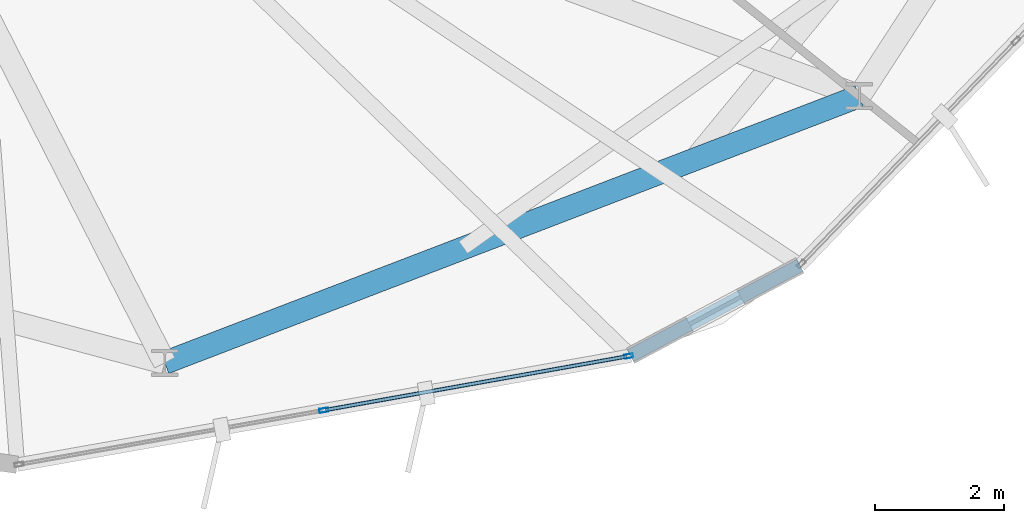
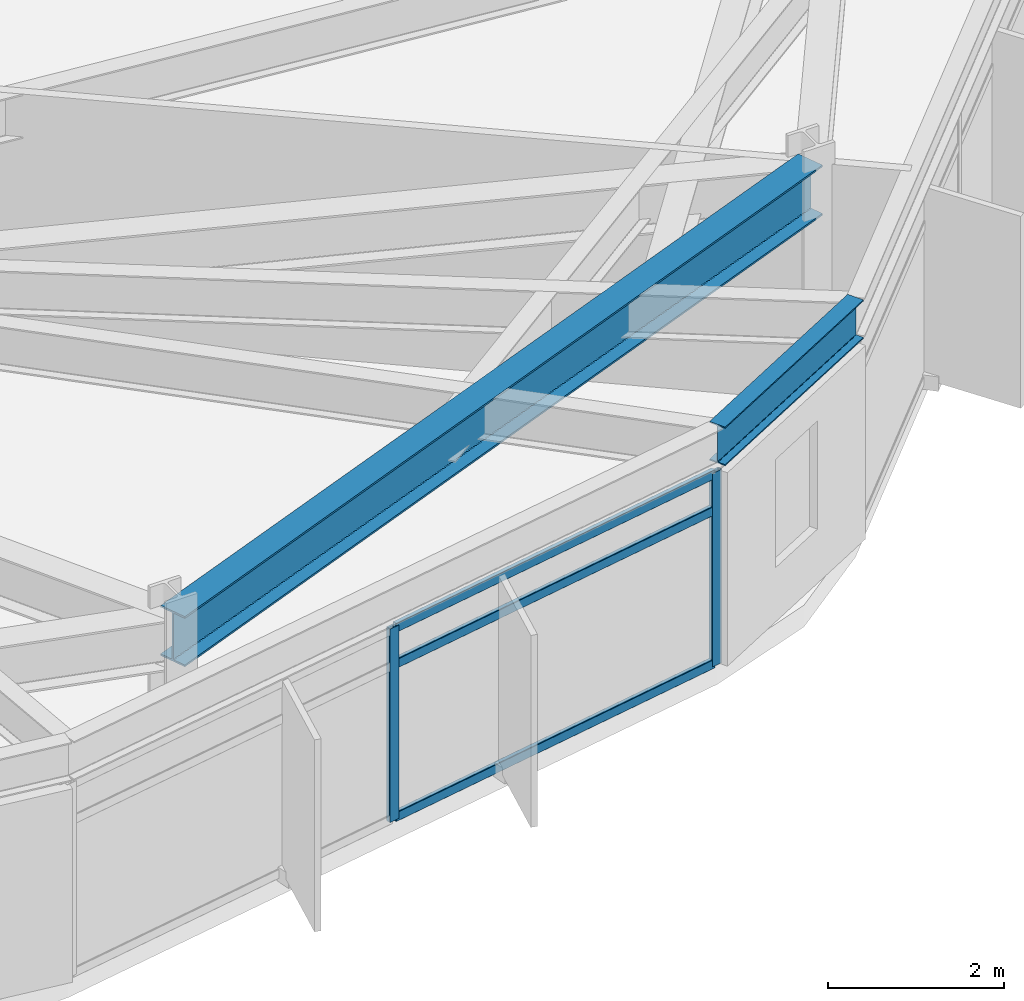
# One storey, part 7 of 28: 5 members, 2 beams, 1 element without a shape of its own.
"""IFC4 building model written with IfcOpenShell, lengths in metres."""

import ifcopenshell
import ifcopenshell.guid

model = None  # the IFC model being written
_history = None  # IfcOwnerHistory: only IFC2X3 demands one
_inside = {}  # id of a spatial element -> (the spatial element, [elements in it])
_under = {}  # id of a project, library or spatial element -> (it, [spatial elements below it])
_declared = {}  # id of a project -> (the project, [libraries it declares])
_typed = {}  # id of a type object -> (the type object, [elements of that type])
_made_of = {}  # id of a material, layer set ... -> (it, [elements and type objects made of it])


def new_model(schema):
    """Start an empty IFC model of exactly this schema.

    Asked for "IFC4X3", IfcOpenShell would pick the latest addendum, in which some entities
    have other attributes; the version numbers below select the first issue.
    IFC2X3 requires an IfcOwnerHistory on every rooted entity: one is made here for all.
    """
    global model, _history
    if schema == "IFC4X3":
        model = ifcopenshell.file(schema_version=(4, 3, 0, 0))
    else:
        model = ifcopenshell.file(schema=schema)
    _inside.clear()
    _under.clear()
    _declared.clear()
    _typed.clear()
    _made_of.clear()
    _history = None
    if model.schema == "IFC2X3":
        org = make("IfcOrganization", Name="unknown")
        user = make(
            "IfcPersonAndOrganization",
            ThePerson=make("IfcPerson", FamilyName="unknown"),
            TheOrganization=org,
        )
        app = make(
            "IfcApplication",
            ApplicationDeveloper=org,
            Version="unknown",
            ApplicationFullName="unknown",
            ApplicationIdentifier="unknown",
        )
        _history = make(
            "IfcOwnerHistory",
            OwningUser=user,
            OwningApplication=app,
            ChangeAction="ADDED",
            CreationDate=0,
        )
    return model


def make(cls, **values):
    """One entity of the class cls with the attributes given. An attribute that is None is left unset."""
    return model.create_entity(
        cls, **{name: value for name, value in values.items() if value is not None}
    )


def rooted(cls, **values):
    """An entity with a GlobalId (a new one), such as an element, a storey or a relation."""
    return make(cls, GlobalId=ifcopenshell.guid.new(), OwnerHistory=_history, **values)


def si_unit(unit_type, name, prefix=None):
    """IfcSIUnit, for example si_unit("LENGTHUNIT", "METRE", prefix="MILLI")."""
    return make("IfcSIUnit", UnitType=unit_type, Prefix=prefix, Name=name)


def assignment(units):
    """IfcUnitAssignment: the units of a project."""
    return None if units is None else make("IfcUnitAssignment", Units=units)


def point(xyz):
    """IfcCartesianPoint."""
    return None if xyz is None else make("IfcCartesianPoint", Coordinates=xyz)


def direction(xyz):
    """IfcDirection."""
    return None if xyz is None else make("IfcDirection", DirectionRatios=xyz)


def frame(location, z_axis=None, x_axis=None):
    """IfcAxis2Placement3D, a coordinate frame: its origin and axes. An axis left out is left unset."""
    return make(
        "IfcAxis2Placement3D",
        Location=point(location),
        Axis=direction(z_axis),
        RefDirection=direction(x_axis),
    )


def frame_2d(location, x_axis=None):
    """IfcAxis2Placement2D, a coordinate frame in the plane: its origin and x axis."""
    return make(
        "IfcAxis2Placement2D", Location=point(location), RefDirection=direction(x_axis)
    )


def origin():
    """The frame at (0, 0, 0) with its axes left unset."""
    return frame((0.0, 0.0, 0.0))


def origin_2d():
    """The frame at (0, 0) in the plane with its x axis left unset."""
    return frame_2d((0.0, 0.0))


def place(relative_to, where):
    """IfcLocalPlacement: puts the frame where relative to a parent placement (None: the world)."""
    return make(
        "IfcLocalPlacement", PlacementRelTo=relative_to, RelativePlacement=where
    )


def context(
    kind, dimensions, precision=None, world=None, true_north=None, identifier=None
):
    """IfcGeometricRepresentationContext, for example the 3D "Model" context."""
    return make(
        "IfcGeometricRepresentationContext",
        ContextIdentifier=identifier,
        ContextType=kind,
        CoordinateSpaceDimension=dimensions,
        Precision=precision,
        WorldCoordinateSystem=world,
        TrueNorth=true_north,
    )


def subcontext(parent, identifier, kind, view, scale=None):
    """IfcGeometricRepresentationSubContext, for example "Body" below "Model"."""
    return make(
        "IfcGeometricRepresentationSubContext",
        ContextIdentifier=identifier,
        ContextType=kind,
        ParentContext=parent,
        TargetScale=scale,
        TargetView=view,
    )


def project(units=None, contexts=None):
    """IfcProject with its units and contexts."""
    return rooted(
        "IfcProject",
        Name="project",
        RepresentationContexts=contexts,
        UnitsInContext=assignment(units),
    )


def spatial(cls, under=None, at=None, **own):
    """A site, building, storey or space (cls), placed at a placement, below another one or the project."""
    s = rooted(cls, ObjectPlacement=at, **own)
    if under is not None:
        _under.setdefault(under.id(), (under, []))[1].append(s)
    return s


def profile(cls, at=None, kind="AREA", **sizes):
    """A parametric profile (cls). Its sizes go by their IFC names, for example OverallWidth=200.0."""
    return make(cls, ProfileType=kind, Position=at, **sizes)


def hollow_rectangle(**sizes):
    """IfcRectangleHollowProfileDef."""
    return profile("IfcRectangleHollowProfileDef", **sizes)


def i_section(**sizes):
    """IfcIShapeProfileDef."""
    return profile("IfcIShapeProfileDef", **sizes)


def extrude(swept, where, along, depth):
    """IfcExtrudedAreaSolid: the profile swept, set in the frame where, extruded along a direction by depth."""
    return make(
        "IfcExtrudedAreaSolid",
        SweptArea=swept,
        Position=where,
        ExtrudedDirection=direction(along),
        Depth=depth,
    )


def shape(context_of_items, identifier, shape_type, items):
    """IfcShapeRepresentation: the items that make up one representation, for example the "Body"."""
    return make(
        "IfcShapeRepresentation",
        ContextOfItems=context_of_items,
        RepresentationIdentifier=identifier,
        RepresentationType=shape_type,
        Items=items,
    )


def material(Name=None, Category=None):
    """IfcMaterial."""
    return make("IfcMaterial", Name=Name, Category=Category)


def layer(
    of_material, thickness, ventilated=None, Name=None, Category=None, Priority=None
):
    """IfcMaterialLayer: one layer of a wall or slab, of a material (None: an air gap)."""
    return make(
        "IfcMaterialLayer",
        Material=of_material,
        LayerThickness=thickness,
        IsVentilated=ventilated,
        Name=Name,
        Category=Category,
        Priority=Priority,
    )


def layer_set(layers, Name=None):
    """IfcMaterialLayerSet."""
    return make("IfcMaterialLayerSet", MaterialLayers=layers, LayerSetName=Name)


def material_profile(
    of_material, cross_section, Name=None, Category=None, Priority=None
):
    """IfcMaterialProfile: a cross section and its material."""
    return make(
        "IfcMaterialProfile",
        Name=Name,
        Material=of_material,
        Profile=cross_section,
        Priority=Priority,
        Category=Category,
    )


def profile_set(profiles, Name=None, composite=None):
    """IfcMaterialProfileSet."""
    return make(
        "IfcMaterialProfileSet",
        Name=Name,
        MaterialProfiles=profiles,
        CompositeProfile=composite,
    )


def made_of(thing, what):
    """Note that an element or type object is made of a material, layer set ...; save() writes the relation."""
    if what is not None:
        _made_of.setdefault(what.id(), (what, []))[1].append(thing)
    return thing


def type_object(cls, material=None, **own):
    """A type object (cls), such as IfcWallType, which elements share."""
    return made_of(rooted(cls, **own), material)


def element(
    cls,
    number,
    at=None,
    inside=None,
    cuts=None,
    type_object=None,
    material=None,
    context=None,
    identifier="Body",
    shape_type=None,
    held_by="IfcProductDefinitionShape",
    body=None,
    shapes=None,
    **own,
):
    """One element of the class cls, such as IfcWall. Its Tag is "e" and its number.

    at: its placement. inside: the storey or other place that contains it. cuts: it is an
    opening in that element (IfcRelVoidsElement). A single representation is given by context,
    identifier, shape_type and body (its items); several are given by shapes. held_by: the class
    of the entity that holds the representations. save() writes the other relations.
    """
    e = rooted(cls, Tag="e%d" % number, ObjectPlacement=at, **own)
    if body is not None:
        shapes = [shape(context, identifier, shape_type, body)]
    if shapes is not None:
        e.Representation = make(held_by, Representations=shapes)
    if inside is not None:
        _inside.setdefault(inside.id(), (inside, []))[1].append(e)
    if cuts is not None:
        rooted(
            "IfcRelVoidsElement", RelatingBuildingElement=cuts, RelatedOpeningElement=e
        )
    if type_object is not None:
        _typed.setdefault(type_object.id(), (type_object, []))[1].append(e)
    return made_of(e, material)


def aggregate(whole, parts):
    """IfcRelAggregates: a whole, such as a stair, and the parts it consists of."""
    return rooted("IfcRelAggregates", RelatingObject=whole, RelatedObjects=parts)


def save(model, path):
    """Write the relations noted so far, then the file.

    IfcRelAggregates (storeys below a building ...), IfcRelContainedInSpatialStructure (elements
    in a storey), IfcRelDefinesByType, IfcRelAssociatesMaterial and IfcRelDeclares: one each for
    every whole, place, type object, material and project.
    """
    for whole, parts in _under.values():
        aggregate(whole, parts)
    for where, things in _inside.values():
        rooted(
            "IfcRelContainedInSpatialStructure",
            RelatedElements=things,
            RelatingStructure=where,
        )
    for kind, things in _typed.values():
        rooted("IfcRelDefinesByType", RelatedObjects=things, RelatingType=kind)
    for what, things in _made_of.values():
        rooted("IfcRelAssociatesMaterial", RelatedObjects=things, RelatingMaterial=what)
    for by, libraries in _declared.values():
        rooted("IfcRelDeclares", RelatingContext=by, RelatedDefinitions=libraries)
    model.write(path)


model = new_model("IFC4")

# Units and contexts
model_context = context("Model", 3, precision=1e-05, world=origin(), true_north=direction((0.0, 1.0)))
body_context = subcontext(model_context, "Body", "Model", "MODEL_VIEW")
ifc_project = project(units=[si_unit("LENGTHUNIT", "METRE"), si_unit("AREAUNIT", "SQUARE_METRE"), si_unit("VOLUMEUNIT", "CUBIC_METRE"), si_unit("PLANEANGLEUNIT", "RADIAN"), si_unit("MASSUNIT", "GRAM", prefix="KILO")], contexts=[model_context])

# Site, building, storey
site_placement = place(None, origin())
site = spatial("IfcSite", under=ifc_project, at=site_placement, CompositionType="ELEMENT")
building_placement = place(site_placement, origin())
building = spatial("IfcBuilding", under=site, at=building_placement, Name="Soratama Intermodal Tower", CompositionType="ELEMENT")
storey_placement = place(building_placement, frame((0.0, 0.0, 205.0)))
storey = spatial("IfcBuildingStorey", under=building, at=storey_placement, Name="L51", CompositionType="ELEMENT", Elevation=205.0)

# Beams
ifc_material_1 = material(Name="Structural steel ASTM A992 Grade 50", Category="steel")
ifc_material_profile_1 = material_profile(ifc_material_1, i_section(OverallWidth=0.35498046875, OverallDepth=0.695068359375, WebThickness=0.015380859375, FlangeThickness=0.02490234375, FilletRadius=0.01611328125, at=origin_2d()), Name="W27X146")
ifc_profile_set_1 = profile_set([ifc_material_profile_1], Name="Structural steel ASTM A992 Grade 50")
beam_type_1 = type_object("IfcBeamType", Name="BM-RING-W27X146", PredefinedType="BEAM", material=ifc_profile_set_1)
beam_1_placement = place(storey_placement, frame((45.972900390625, 6.426025390625, 2.952392578125), z_axis=(0.933603724339, 0.358307250695, 0.0), x_axis=(-0.358307250695, 0.933603724339, 0.0)))
element("IfcBeam", 1, at=beam_1_placement, inside=storey, type_object=beam_type_1, Name="BM-L51-RING-08", PredefinedType="BEAM", context=body_context, shape_type="SweptSolid", body=[
    extrude(i_section(OverallWidth=0.35498046875, OverallDepth=0.695068359375, WebThickness=0.015380859375, FlangeThickness=0.02490234375, FilletRadius=0.01611328125, at=origin_2d()), origin(), (0.0, 0.0, 1.0), 11.495361328125),
])
ifc_material_2 = material(Name="Structural steel ASTM A992 Grade 50", Category="steel")
ifc_material_profile_2 = material_profile(ifc_material_2, i_section(OverallWidth=0.2099609375, OverallDepth=0.537109375, WebThickness=0.010986328125, FlangeThickness=0.017333984375, FilletRadius=0.012939453125, at=origin_2d()), Name="W21X68")
ifc_profile_set_2 = profile_set([ifc_material_profile_2], Name="Structural steel ASTM A992 Grade 50")
beam_type_2 = type_object("IfcBeamType", Name="BM-SPN-W21X68", PredefinedType="SPANDREL", material=ifc_profile_set_2)
beam_2_placement = place(storey_placement, frame((53.169921875, 6.534912109375, 3.031494140625), z_axis=(0.88233015622, 0.470630954596, 0.0), x_axis=(-0.470630954596, 0.88233015622, 0.0)))
element("IfcBeam", 2, at=beam_2_placement, inside=storey, type_object=beam_type_2, Name="BS-L51-CRN07", PredefinedType="SPANDREL", context=body_context, shape_type="SweptSolid", body=[
    extrude(i_section(OverallWidth=0.2099609375, OverallDepth=0.537109375, WebThickness=0.010986328125, FlangeThickness=0.017333984375, FilletRadius=0.012939453125, at=origin_2d()), origin(), (0.0, 0.0, 1.0), 2.96630859375),
])

# Curtain wall, members
ifc_material_3 = material(Name="Double-glazed aluminium curtain wall", Category="aluminium")
ifc_layer = layer(ifc_material_3, 0.159912109375)
ifc_layer_set = layer_set([ifc_layer], Name="Double-glazed aluminium curtain wall")
curtain_wall_type = type_object("IfcCurtainWallType", Name="CW-SYS-5", PredefinedType="NOTDEFINED", material=ifc_layer_set)
curtain_wall_placement = place(storey_placement, origin())
curtain_wall = element("IfcCurtainWall", 3, at=curtain_wall_placement, inside=storey, type_object=curtain_wall_type, Name="L51 Faceted Curtain Wall F07", PredefinedType="NOTDEFINED")
ifc_material_4 = material(Name="Anodised aluminium AA 6063-T6", Category="aluminium")
ifc_material_profile_3 = material_profile(ifc_material_4, hollow_rectangle(XDim=0.06494140625, YDim=0.139892578125, WallThickness=0.0048828125, InnerFilletRadius=0.0048828125, OuterFilletRadius=0.010009765625, at=origin_2d()), Name="CWM140X65X5")
ifc_profile_set_3 = profile_set([ifc_material_profile_3], Name="Anodised aluminium AA 6063-T6")
member_type_1 = type_object("IfcMemberType", Name="MT-CWM-5", PredefinedType="MULLION", material=ifc_profile_set_3)
member_1_placement = place(storey_placement, frame((48.43212890625, 5.69287109375, 0.0), z_axis=(0.0, 0.0, 1.0), x_axis=(-0.175028186714, 0.984563422973, 0.0)))
member_1 = element("IfcMember", 4, at=member_1_placement, type_object=member_type_1, Name="CW-5 mullion 2", PredefinedType="MULLION", context=body_context, shape_type="SweptSolid", body=[
    extrude(hollow_rectangle(XDim=0.06494140625, YDim=0.139892578125, WallThickness=0.0048828125, InnerFilletRadius=0.0048828125, OuterFilletRadius=0.010009765625, at=origin_2d()), origin(), (0.0, 0.0, 1.0), 2.678955078125),
])
member_2_placement = place(storey_placement, frame((53.140380859375, 6.52978515625, 0.0), z_axis=(0.0, 0.0, 1.0), x_axis=(-0.175028186714, 0.984563422973, 0.0)))
member_2 = element("IfcMember", 5, at=member_2_placement, type_object=member_type_1, Name="CW-5 mullion 3", PredefinedType="MULLION", context=body_context, shape_type="SweptSolid", body=[
    extrude(hollow_rectangle(XDim=0.06494140625, YDim=0.139892578125, WallThickness=0.0048828125, InnerFilletRadius=0.0048828125, OuterFilletRadius=0.010009765625, at=origin_2d()), origin(), (0.0, 0.0, 1.0), 2.678955078125),
])
ifc_material_5 = material(Name="Anodised aluminium AA 6063-T6", Category="aluminium")
ifc_material_profile_4 = material_profile(ifc_material_5, hollow_rectangle(XDim=0.06005859375, YDim=0.1298828125, WallThickness=0.0048828125, InnerFilletRadius=0.0048828125, OuterFilletRadius=0.010009765625, at=origin_2d()), Name="CWT130X60X5")
ifc_profile_set_4 = profile_set([ifc_material_profile_4], Name="Anodised aluminium AA 6063-T6")
member_type_2 = type_object("IfcMemberType", Name="TT-CWT-2", PredefinedType="USERDEFINED", material=ifc_profile_set_4)
member_3_placement = place(storey_placement, frame((48.461669921875, 5.697998046875, 0.030029296875), z_axis=(0.984566269523, 0.175012173625, 0.0), x_axis=(-0.175012173625, 0.984566269523, 0.0)))
member_3 = element("IfcMember", 6, at=member_3_placement, type_object=member_type_2, Name="CW-5 transom 2.1", ObjectType="TRANSOM", PredefinedType="USERDEFINED", context=body_context, shape_type="SweptSolid", body=[
    extrude(hollow_rectangle(XDim=0.06005859375, YDim=0.1298828125, WallThickness=0.0048828125, InnerFilletRadius=0.0048828125, OuterFilletRadius=0.010009765625, at=origin_2d()), origin(), (0.0, 0.0, 1.0), 4.72216796875),
])
member_4_placement = place(storey_placement, frame((48.461669921875, 5.697998046875, 2.14990234375), z_axis=(0.984566269523, 0.175012173625, 0.0), x_axis=(-0.175012173625, 0.984566269523, 0.0)))
member_4 = element("IfcMember", 7, at=member_4_placement, type_object=member_type_2, Name="CW-5 transom 2.2", ObjectType="TRANSOM", PredefinedType="USERDEFINED", context=body_context, shape_type="SweptSolid", body=[
    extrude(hollow_rectangle(XDim=0.06005859375, YDim=0.1298828125, WallThickness=0.0048828125, InnerFilletRadius=0.0048828125, OuterFilletRadius=0.010009765625, at=origin_2d()), origin(), (0.0, 0.0, 1.0), 4.72216796875),
])
member_5_placement = place(storey_placement, frame((48.461669921875, 5.697998046875, 2.64892578125), z_axis=(0.984566269523, 0.175012173625, 0.0), x_axis=(-0.175012173625, 0.984566269523, 0.0)))
member_5 = element("IfcMember", 8, at=member_5_placement, type_object=member_type_2, Name="CW-5 transom 2.3", ObjectType="TRANSOM", PredefinedType="USERDEFINED", context=body_context, shape_type="SweptSolid", body=[
    extrude(hollow_rectangle(XDim=0.06005859375, YDim=0.1298828125, WallThickness=0.0048828125, InnerFilletRadius=0.0048828125, OuterFilletRadius=0.010009765625, at=origin_2d()), origin(), (0.0, 0.0, 1.0), 4.72216796875),
])
aggregate(curtain_wall, [member_1, member_2, member_3, member_4, member_5])

save(model, "model.ifc")
